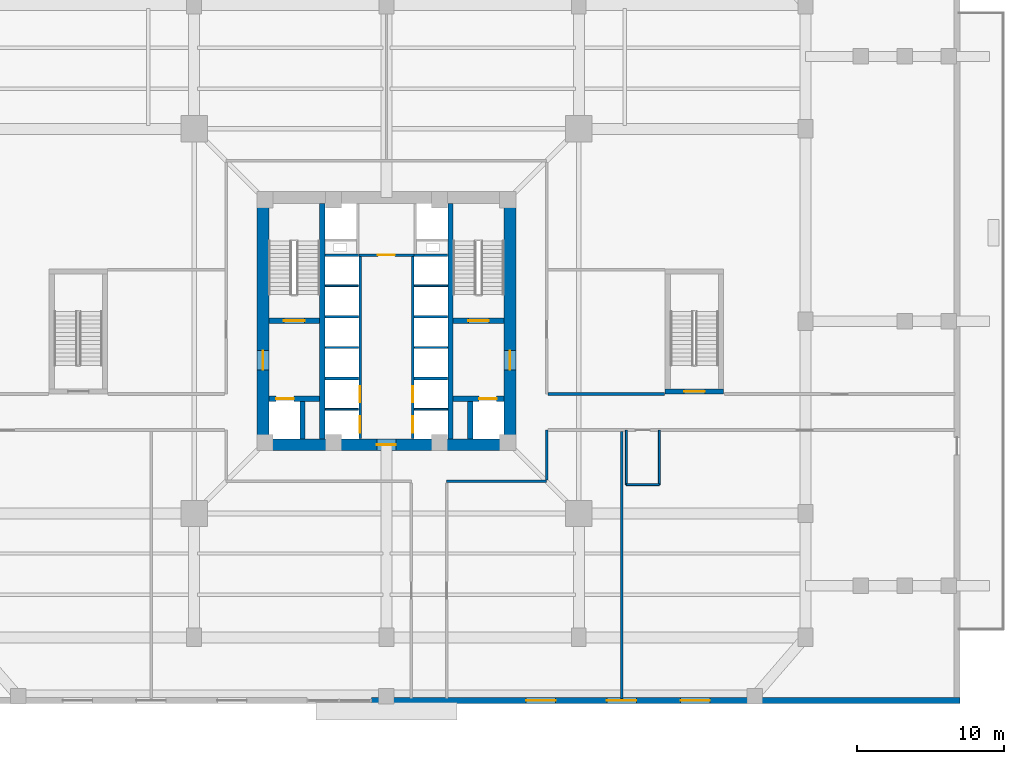
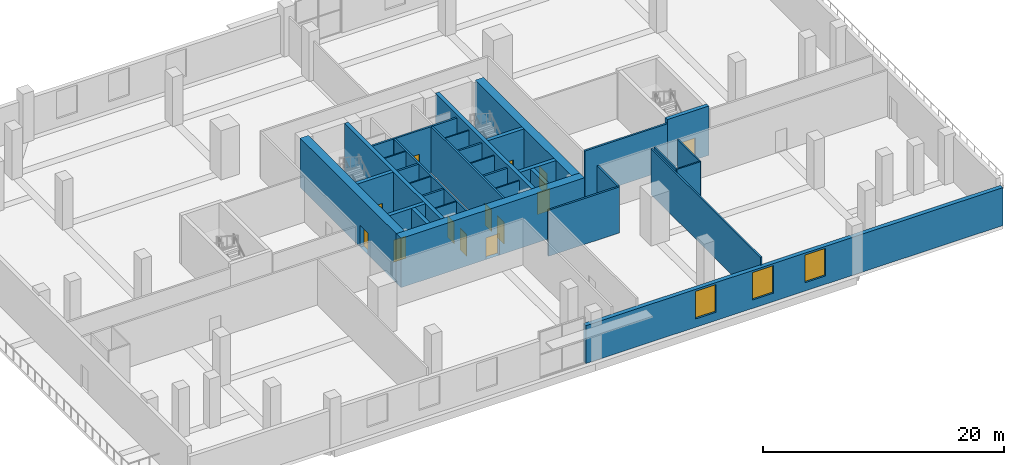
# One storey, part 7 of 17: 35 walls, 13 doors, 3 windows, 16 openings.
"""IFC4 building model written with IfcOpenShell, lengths in metres."""

import ifcopenshell
import ifcopenshell.guid

model = None  # the IFC model being written
_history = None  # IfcOwnerHistory: only IFC2X3 demands one
_inside = {}  # id of a spatial element -> (the spatial element, [elements in it])
_under = {}  # id of a project, library or spatial element -> (it, [spatial elements below it])
_declared = {}  # id of a project -> (the project, [libraries it declares])
_typed = {}  # id of a type object -> (the type object, [elements of that type])
_made_of = {}  # id of a material, layer set ... -> (it, [elements and type objects made of it])


def new_model(schema):
    """Start an empty IFC model of exactly this schema.

    Asked for "IFC4X3", IfcOpenShell would pick the latest addendum, in which some entities
    have other attributes; the version numbers below select the first issue.
    IFC2X3 requires an IfcOwnerHistory on every rooted entity: one is made here for all.
    """
    global model, _history
    if schema == "IFC4X3":
        model = ifcopenshell.file(schema_version=(4, 3, 0, 0))
    else:
        model = ifcopenshell.file(schema=schema)
    _inside.clear()
    _under.clear()
    _declared.clear()
    _typed.clear()
    _made_of.clear()
    _history = None
    if model.schema == "IFC2X3":
        org = make("IfcOrganization", Name="unknown")
        user = make(
            "IfcPersonAndOrganization",
            ThePerson=make("IfcPerson", FamilyName="unknown"),
            TheOrganization=org,
        )
        app = make(
            "IfcApplication",
            ApplicationDeveloper=org,
            Version="unknown",
            ApplicationFullName="unknown",
            ApplicationIdentifier="unknown",
        )
        _history = make(
            "IfcOwnerHistory",
            OwningUser=user,
            OwningApplication=app,
            ChangeAction="ADDED",
            CreationDate=0,
        )
    return model


def make(cls, **values):
    """One entity of the class cls with the attributes given. An attribute that is None is left unset."""
    return model.create_entity(
        cls, **{name: value for name, value in values.items() if value is not None}
    )


def rooted(cls, **values):
    """An entity with a GlobalId (a new one), such as an element, a storey or a relation."""
    return make(cls, GlobalId=ifcopenshell.guid.new(), OwnerHistory=_history, **values)


def si_unit(unit_type, name, prefix=None):
    """IfcSIUnit, for example si_unit("LENGTHUNIT", "METRE", prefix="MILLI")."""
    return make("IfcSIUnit", UnitType=unit_type, Prefix=prefix, Name=name)


def assignment(units):
    """IfcUnitAssignment: the units of a project."""
    return None if units is None else make("IfcUnitAssignment", Units=units)


def point(xyz):
    """IfcCartesianPoint."""
    return None if xyz is None else make("IfcCartesianPoint", Coordinates=xyz)


def direction(xyz):
    """IfcDirection."""
    return None if xyz is None else make("IfcDirection", DirectionRatios=xyz)


def frame(location, z_axis=None, x_axis=None):
    """IfcAxis2Placement3D, a coordinate frame: its origin and axes. An axis left out is left unset."""
    return make(
        "IfcAxis2Placement3D",
        Location=point(location),
        Axis=direction(z_axis),
        RefDirection=direction(x_axis),
    )


def frame_2d(location, x_axis=None):
    """IfcAxis2Placement2D, a coordinate frame in the plane: its origin and x axis."""
    return make(
        "IfcAxis2Placement2D", Location=point(location), RefDirection=direction(x_axis)
    )


def origin():
    """The frame at (0, 0, 0) with its axes left unset."""
    return frame((0.0, 0.0, 0.0))


def place(relative_to, where):
    """IfcLocalPlacement: puts the frame where relative to a parent placement (None: the world)."""
    return make(
        "IfcLocalPlacement", PlacementRelTo=relative_to, RelativePlacement=where
    )


def context(
    kind, dimensions, precision=None, world=None, true_north=None, identifier=None
):
    """IfcGeometricRepresentationContext, for example the 3D "Model" context."""
    return make(
        "IfcGeometricRepresentationContext",
        ContextIdentifier=identifier,
        ContextType=kind,
        CoordinateSpaceDimension=dimensions,
        Precision=precision,
        WorldCoordinateSystem=world,
        TrueNorth=true_north,
    )


def subcontext(parent, identifier, kind, view, scale=None):
    """IfcGeometricRepresentationSubContext, for example "Body" below "Model"."""
    return make(
        "IfcGeometricRepresentationSubContext",
        ContextIdentifier=identifier,
        ContextType=kind,
        ParentContext=parent,
        TargetScale=scale,
        TargetView=view,
    )


def project(units=None, contexts=None):
    """IfcProject with its units and contexts."""
    return rooted(
        "IfcProject",
        Name="project",
        RepresentationContexts=contexts,
        UnitsInContext=assignment(units),
    )


def spatial(cls, under=None, at=None, **own):
    """A site, building, storey or space (cls), placed at a placement, below another one or the project."""
    s = rooted(cls, ObjectPlacement=at, **own)
    if under is not None:
        _under.setdefault(under.id(), (under, []))[1].append(s)
    return s


def profile(cls, at=None, kind="AREA", **sizes):
    """A parametric profile (cls). Its sizes go by their IFC names, for example OverallWidth=200.0."""
    return make(cls, ProfileType=kind, Position=at, **sizes)


def rectangle(**sizes):
    """IfcRectangleProfileDef."""
    return profile("IfcRectangleProfileDef", **sizes)


def extrude(swept, where, along, depth):
    """IfcExtrudedAreaSolid: the profile swept, set in the frame where, extruded along a direction by depth."""
    return make(
        "IfcExtrudedAreaSolid",
        SweptArea=swept,
        Position=where,
        ExtrudedDirection=direction(along),
        Depth=depth,
    )


def shape(context_of_items, identifier, shape_type, items):
    """IfcShapeRepresentation: the items that make up one representation, for example the "Body"."""
    return make(
        "IfcShapeRepresentation",
        ContextOfItems=context_of_items,
        RepresentationIdentifier=identifier,
        RepresentationType=shape_type,
        Items=items,
    )


def source(mapping_origin, context_of_items, identifier, shape_type, items):
    """IfcRepresentationMap: a shape defined once, which mapped items show again and again."""
    return make(
        "IfcRepresentationMap",
        MappingOrigin=mapping_origin,
        MappedRepresentation=shape(context_of_items, identifier, shape_type, items),
    )


def transform(
    local_origin,
    x_axis=None,
    y_axis=None,
    z_axis=None,
    scale=None,
    scale2=None,
    scale3=None,
    uniform=True,
):
    """IfcCartesianTransformationOperator3D, or its non-uniform kind. x_axis, y_axis, z_axis: its Axis1, 2, 3."""
    if uniform:
        return make(
            "IfcCartesianTransformationOperator3D",
            Axis1=direction(x_axis),
            Axis2=direction(y_axis),
            LocalOrigin=point(local_origin),
            Scale=scale,
            Axis3=direction(z_axis),
        )
    return make(
        "IfcCartesianTransformationOperator3DnonUniform",
        Axis1=direction(x_axis),
        Axis2=direction(y_axis),
        LocalOrigin=point(local_origin),
        Scale=scale,
        Axis3=direction(z_axis),
        Scale2=scale2,
        Scale3=scale3,
    )


def mapped(mapping_source, mapping_target):
    """IfcMappedItem: shows the shape of a source again, moved by a transform."""
    return make(
        "IfcMappedItem", MappingSource=mapping_source, MappingTarget=mapping_target
    )


def material(Name=None, Category=None):
    """IfcMaterial."""
    return make("IfcMaterial", Name=Name, Category=Category)


def layer(
    of_material, thickness, ventilated=None, Name=None, Category=None, Priority=None
):
    """IfcMaterialLayer: one layer of a wall or slab, of a material (None: an air gap)."""
    return make(
        "IfcMaterialLayer",
        Material=of_material,
        LayerThickness=thickness,
        IsVentilated=ventilated,
        Name=Name,
        Category=Category,
        Priority=Priority,
    )


def layer_set(layers, Name=None):
    """IfcMaterialLayerSet."""
    return make("IfcMaterialLayerSet", MaterialLayers=layers, LayerSetName=Name)


def made_of(thing, what):
    """Note that an element or type object is made of a material, layer set ...; save() writes the relation."""
    if what is not None:
        _made_of.setdefault(what.id(), (what, []))[1].append(thing)
    return thing


def type_object(cls, material=None, **own):
    """A type object (cls), such as IfcWallType, which elements share."""
    return made_of(rooted(cls, **own), material)


def element(
    cls,
    number,
    at=None,
    inside=None,
    cuts=None,
    type_object=None,
    material=None,
    context=None,
    identifier="Body",
    shape_type=None,
    held_by="IfcProductDefinitionShape",
    body=None,
    shapes=None,
    **own,
):
    """One element of the class cls, such as IfcWall. Its Tag is "e" and its number.

    at: its placement. inside: the storey or other place that contains it. cuts: it is an
    opening in that element (IfcRelVoidsElement). A single representation is given by context,
    identifier, shape_type and body (its items); several are given by shapes. held_by: the class
    of the entity that holds the representations. save() writes the other relations.
    """
    e = rooted(cls, Tag="e%d" % number, ObjectPlacement=at, **own)
    if body is not None:
        shapes = [shape(context, identifier, shape_type, body)]
    if shapes is not None:
        e.Representation = make(held_by, Representations=shapes)
    if inside is not None:
        _inside.setdefault(inside.id(), (inside, []))[1].append(e)
    if cuts is not None:
        rooted(
            "IfcRelVoidsElement", RelatingBuildingElement=cuts, RelatedOpeningElement=e
        )
    if type_object is not None:
        _typed.setdefault(type_object.id(), (type_object, []))[1].append(e)
    return made_of(e, material)


def fill(opening, filler):
    """IfcRelFillsElement: the door or window that sits in an opening."""
    return rooted(
        "IfcRelFillsElement",
        RelatingOpeningElement=opening,
        RelatedBuildingElement=filler,
    )


def aggregate(whole, parts):
    """IfcRelAggregates: a whole, such as a stair, and the parts it consists of."""
    return rooted("IfcRelAggregates", RelatingObject=whole, RelatedObjects=parts)


def save(model, path):
    """Write the relations noted so far, then the file.

    IfcRelAggregates (storeys below a building ...), IfcRelContainedInSpatialStructure (elements
    in a storey), IfcRelDefinesByType, IfcRelAssociatesMaterial and IfcRelDeclares: one each for
    every whole, place, type object, material and project.
    """
    for whole, parts in _under.values():
        aggregate(whole, parts)
    for where, things in _inside.values():
        rooted(
            "IfcRelContainedInSpatialStructure",
            RelatedElements=things,
            RelatingStructure=where,
        )
    for kind, things in _typed.values():
        rooted("IfcRelDefinesByType", RelatedObjects=things, RelatingType=kind)
    for what, things in _made_of.values():
        rooted("IfcRelAssociatesMaterial", RelatedObjects=things, RelatingMaterial=what)
    for by, libraries in _declared.values():
        rooted("IfcRelDeclares", RelatingContext=by, RelatedDefinitions=libraries)
    model.write(path)


model = new_model("IFC4")

# Units and contexts
model_context = context("Model", 3, precision=1e-05, world=origin(), true_north=direction((0.0, 1.0)))
body_context = subcontext(model_context, "Body", "Model", "MODEL_VIEW")
ifc_project = project(units=[si_unit("LENGTHUNIT", "METRE"), si_unit("AREAUNIT", "SQUARE_METRE"), si_unit("VOLUMEUNIT", "CUBIC_METRE"), si_unit("PLANEANGLEUNIT", "RADIAN"), si_unit("MASSUNIT", "GRAM", prefix="KILO"), si_unit("THERMODYNAMICTEMPERATUREUNIT", "KELVIN")], contexts=[model_context])

# Site, building, storey
site_placement = place(None, origin())
site = spatial("IfcSite", under=ifc_project, at=site_placement, CompositionType="ELEMENT")
building_placement = place(site_placement, origin())
building = spatial("IfcBuilding", under=site, at=building_placement, Name="Kosmvard Interchange Tower", CompositionType="ELEMENT")
storey_placement = place(building_placement, frame((0.0, 0.0, 6.0)))
storey = spatial("IfcBuildingStorey", under=building, at=storey_placement, Name="L01", CompositionType="ELEMENT", Elevation=6.0)

# Wall
ifc_material_1 = material(Name="Acoustic gypsum partition system")
ifc_layer_1 = layer(ifc_material_1, 0.14990234375, Name="Acoustic gypsum partition system")
ifc_layer_set_1 = layer_set([ifc_layer_1], Name="Acoustic gypsum partition system")
wall_type_1 = type_object("IfcWallType", Name="Acoustic Suite & Meeting Partition 150", PredefinedType="PARTITIONING", material=ifc_layer_set_1)
wall_1_placement = place(storey_placement, frame((16.0, -25.6650390625, 0.0), z_axis=(0.0, 0.0, 1.0), x_axis=(0.0, 1.0, 0.0)))
element("IfcWall", 1, at=wall_1_placement, inside=storey, type_object=wall_type_1, Name="L01 Room Partition 05.1", PredefinedType="PARTITIONING", context=body_context, shape_type="SweptSolid", body=[
    extrude(rectangle(XDim=18.169921875, YDim=0.14990234375, at=frame_2d((9.0849609375, 0.0))), origin(), (0.0, 0.0, 1.0), 4.659912109375),
])

# Wall, openings, doors
ifc_material_2 = material(Name="Fire-rated gypsum partition system")
ifc_layer_2 = layer(ifc_material_2, 0.179931640625, Name="Fire-rated gypsum partition system")
ifc_layer_set_2 = layer_set([ifc_layer_2], Name="Fire-rated gypsum partition system")
wall_type_2 = type_object("IfcWallType", Name="Corridor & Hotel Compartment Partition 180", PredefinedType="PARTITIONING", material=ifc_layer_set_2)
wall_2_placement = place(storey_placement, frame((-1.7900390625, -7.97998046875, 0.0), z_axis=(0.0, 0.0, 1.0), x_axis=(0.0, 1.0, 0.0)))
wall_2 = element("IfcWall", 2, at=wall_2_placement, inside=storey, type_object=wall_type_2, Name="L01 West Lift Bank Front Wall", PredefinedType="PARTITIONING", context=body_context, shape_type="SweptSolid", body=[
    extrude(rectangle(XDim=12.3798828125, YDim=0.179931640625, at=frame_2d((6.18994140625, 0.0))), origin(), (0.0, 0.0, 1.0), 4.659912109375),
])
opening_1_placement = place(wall_2_placement, frame((0.39990234375, 0.0, 0.0)))
opening_1 = element("IfcOpeningElement", 3, at=opening_1_placement, cuts=wall_2, Name="Opening LD-PL-L1-L01", PredefinedType="OPENING", context=body_context, shape_type="SweptSolid", body=[
    extrude(rectangle(XDim=1.10009765625, YDim=2.199951171875, at=frame_2d((0.550048828125, 1.10009765625))), frame((0.0, 0.10009765625, 0.0), z_axis=(0.0, -1.0, 0.0), x_axis=(1.0, 0.0, 0.0)), (0.0, 0.0, 1.0), 0.199951171875),
])
opening_2_placement = place(wall_2_placement, frame((2.4599609375, 0.0, 0.0)))
opening_2 = element("IfcOpeningElement", 4, at=opening_2_placement, cuts=wall_2, Name="Opening LD-PL-L2-L01", PredefinedType="OPENING", context=body_context, shape_type="SweptSolid", body=[
    extrude(rectangle(XDim=1.10009765625, YDim=2.199951171875, at=frame_2d((0.550048828125, 1.10009765625))), frame((0.0, 0.10009765625, 0.0), z_axis=(0.0, -1.0, 0.0), x_axis=(1.0, 0.0, 0.0)), (0.0, 0.0, 1.0), 0.199951171875),
])
ifc_material_3 = material(Name="Brushed stainless steel sliding leaf", Category="steel")
door_type_1 = type_object("IfcDoorType", Name="Passenger Lift Sliding Landing Door 1100x2200 EI60", OperationType="DOUBLE_DOOR_SLIDING", PredefinedType="DOOR", material=ifc_material_3)
shared_shape_1 = source(origin(), body_context, "Body", "SweptSolid", [
    extrude(rectangle(XDim=1.10009765625, YDim=2.199951171875, at=frame_2d((0.550048828125, 1.10009765625))), frame((0.0, 0.02490234375, 0.0), z_axis=(0.0, -1.0, 0.0), x_axis=(1.0, 0.0, 0.0)), (0.0, 0.0, 1.0), 0.050048828125),
])
door_1_placement = place(opening_1_placement, frame((1.10009765625, 0.0, 0.0), z_axis=(0.0, 0.0, 1.0), x_axis=(-1.0, 0.0, 0.0)))
door_1 = element("IfcDoor", 5, at=door_1_placement, inside=storey, type_object=door_type_1, Name="Lift PL-L1 Landing Door L01", OperationType="DOUBLE_DOOR_SLIDING", OverallHeight=2.199951171875, OverallWidth=1.10009765625, PredefinedType="DOOR", context=body_context, shape_type="MappedRepresentation", body=[
    mapped(shared_shape_1, transform((0.0, 0.0, 0.0), scale=1.0)),
])
fill(opening_1, door_1)
door_2_placement = place(opening_2_placement, frame((1.10009765625, 0.0, 0.0), z_axis=(0.0, 0.0, 1.0), x_axis=(-1.0, 0.0, 0.0)))
door_2 = element("IfcDoor", 6, at=door_2_placement, inside=storey, type_object=door_type_1, Name="Lift PL-L2 Landing Door L01", OperationType="DOUBLE_DOOR_SLIDING", OverallHeight=2.199951171875, OverallWidth=1.10009765625, PredefinedType="DOOR", context=body_context, shape_type="MappedRepresentation", body=[
    mapped(shared_shape_1, transform((0.0, 0.0, 0.0), scale=1.0)),
])
fill(opening_2, door_2)

wall_3_placement = place(storey_placement, frame((1.7900390625, -7.97998046875, 0.0), z_axis=(0.0, 0.0, 1.0), x_axis=(0.0, 1.0, 0.0)))
wall_3 = element("IfcWall", 7, at=wall_3_placement, inside=storey, type_object=wall_type_2, Name="L01 East Lift Bank Front Wall", PredefinedType="PARTITIONING", context=body_context, shape_type="SweptSolid", body=[
    extrude(rectangle(XDim=12.3798828125, YDim=0.179931640625, at=frame_2d((6.18994140625, 0.0))), origin(), (0.0, 0.0, 1.0), 4.659912109375),
])
opening_3_placement = place(wall_3_placement, frame((0.39990234375, 0.0, 0.0)))
opening_3 = element("IfcOpeningElement", 8, at=opening_3_placement, cuts=wall_3, Name="Opening LD-PL-L3-L01", PredefinedType="OPENING", context=body_context, shape_type="SweptSolid", body=[
    extrude(rectangle(XDim=1.10009765625, YDim=2.199951171875, at=frame_2d((0.550048828125, 1.10009765625))), frame((0.0, 0.10009765625, 0.0), z_axis=(0.0, -1.0, 0.0), x_axis=(1.0, 0.0, 0.0)), (0.0, 0.0, 1.0), 0.199951171875),
])
opening_4_placement = place(wall_3_placement, frame((2.4599609375, 0.0, 0.0)))
opening_4 = element("IfcOpeningElement", 9, at=opening_4_placement, cuts=wall_3, Name="Opening LD-PL-L4-L01", PredefinedType="OPENING", context=body_context, shape_type="SweptSolid", body=[
    extrude(rectangle(XDim=1.10009765625, YDim=2.199951171875, at=frame_2d((0.550048828125, 1.10009765625))), frame((0.0, 0.10009765625, 0.0), z_axis=(0.0, -1.0, 0.0), x_axis=(1.0, 0.0, 0.0)), (0.0, 0.0, 1.0), 0.199951171875),
])
door_3_placement = place(opening_3_placement, origin())
door_3 = element("IfcDoor", 10, at=door_3_placement, inside=storey, type_object=door_type_1, Name="Lift PL-L3 Landing Door L01", OperationType="DOUBLE_DOOR_SLIDING", OverallHeight=2.199951171875, OverallWidth=1.10009765625, PredefinedType="DOOR", context=body_context, shape_type="MappedRepresentation", body=[
    mapped(shared_shape_1, transform((0.0, 0.0, 0.0), scale=1.0)),
])
fill(opening_3, door_3)
door_4_placement = place(opening_4_placement, origin())
door_4 = element("IfcDoor", 11, at=door_4_placement, inside=storey, type_object=door_type_1, Name="Lift PL-L4 Landing Door L01", OperationType="DOUBLE_DOOR_SLIDING", OverallHeight=2.199951171875, OverallWidth=1.10009765625, PredefinedType="DOOR", context=body_context, shape_type="MappedRepresentation", body=[
    mapped(shared_shape_1, transform((0.0, 0.0, 0.0), scale=1.0)),
])
fill(opening_4, door_4)

# Wall, opening, door
wall_4_placement = place(storey_placement, frame((-1.8798828125, 4.489990234375, 0.0), z_axis=(0.0, 0.0, 1.0), x_axis=(1.0, 0.0, 0.0)))
wall_4 = element("IfcWall", 12, at=wall_4_placement, inside=storey, type_object=wall_type_2, Name="L01 Lift Lobby North Partition", PredefinedType="PARTITIONING", context=body_context, shape_type="SweptSolid", body=[
    extrude(rectangle(XDim=3.759765625, YDim=0.179931640625, at=frame_2d((1.8798828125, 0.0))), origin(), (0.0, 0.0, 1.0), 4.659912109375),
])
opening_5_placement = place(wall_4_placement, frame((1.304931640625, 0.0, 0.0)))
opening_5 = element("IfcOpeningElement", 13, at=opening_5_placement, cuts=wall_4, Name="Opening L01-KD1", PredefinedType="OPENING", context=body_context, shape_type="SweptSolid", body=[
    extrude(rectangle(XDim=1.14990234375, YDim=2.25, at=frame_2d((0.574951171875, 1.125))), frame((0.0, 0.10009765625, 0.0), z_axis=(0.0, -1.0, 0.0), x_axis=(1.0, 0.0, 0.0)), (0.0, 0.0, 1.0), 0.199951171875),
])
ifc_material_4 = material(Name="Painted fire-rated steel leaf", Category="steel")
door_type_2 = type_object("IfcDoorType", Name="Plant & Riser Fire Door 1150x2250 EI60", OperationType="NOTDEFINED", PredefinedType="DOOR", material=ifc_material_4)
shared_shape_2 = source(origin(), body_context, "Body", "SweptSolid", [
    extrude(rectangle(XDim=1.14990234375, YDim=2.25, at=frame_2d((0.574951171875, 1.125))), frame((0.0, 0.02490234375, 0.0), z_axis=(0.0, -1.0, 0.0), x_axis=(1.0, 0.0, 0.0)), (0.0, 0.0, 1.0), 0.050048828125),
])
door_5_placement = place(opening_5_placement, origin())
door_5 = element("IfcDoor", 14, at=door_5_placement, inside=storey, type_object=door_type_2, Name="L01 Core IT Room Door", OperationType="SINGLE_SWING_LEFT", OverallHeight=2.25, OverallWidth=1.14990234375, PredefinedType="DOOR", context=body_context, shape_type="MappedRepresentation", body=[
    mapped(shared_shape_2, transform((0.0, 0.0, 0.0), scale=1.0)),
])
fill(opening_5, door_5)

# Walls
wall_5_placement = place(storey_placement, frame((4.10009765625, -10.89990234375, 0.0), z_axis=(0.0, 0.0, 1.0), x_axis=(1.0, 0.0, 0.0)))
element("IfcWall", 15, at=wall_5_placement, inside=storey, type_object=wall_type_2, Name="L01 Corridor Wall CSE", PredefinedType="PARTITIONING", context=body_context, shape_type="SweptSolid", body=[
    extrude(rectangle(XDim=6.7998046875, YDim=0.179931640625, at=frame_2d((3.39990234375, 0.0))), origin(), (0.0, 0.0, 1.0), 4.659912109375),
])
wall_6_placement = place(storey_placement, frame((10.89990234375, -10.800048828125, 0.0), z_axis=(0.0, 0.0, 1.0), x_axis=(0.0, 1.0, 0.0)))
element("IfcWall", 16, at=wall_6_placement, inside=storey, type_object=wall_type_2, Name="L01 Corridor Wall CES", PredefinedType="PARTITIONING", context=body_context, shape_type="SweptSolid", body=[
    extrude(rectangle(XDim=3.400146484375, YDim=0.179931640625, at=frame_2d((1.7001953125, 0.0))), origin(), (0.0, 0.0, 1.0), 4.659912109375),
])
wall_7_placement = place(storey_placement, frame((11.0, -4.9599609375, 0.0), z_axis=(0.0, 0.0, 1.0), x_axis=(1.0, 0.0, 0.0)))
element("IfcWall", 17, at=wall_7_placement, inside=storey, type_object=wall_type_2, Name="L01 Corridor Wall SEN1", PredefinedType="PARTITIONING", context=body_context, shape_type="SweptSolid", body=[
    extrude(rectangle(XDim=7.919921875, YDim=0.179931640625, at=frame_2d((3.9599609375, 0.0))), origin(), (0.0, 0.0, 1.0), 4.659912109375),
])

# Wall, opening, door
ifc_material_5 = material(Name="Concrete C80/95", Category="concrete")
ifc_layer_3 = layer(ifc_material_5, 0.800048828125, Name="Concrete C80/95")
ifc_layer_set_3 = layer_set([ifc_layer_3], Name="Concrete C80/95")
wall_type_3 = type_object("IfcWallType", Name="Lower Core Shear Wall 800 C80/95", PredefinedType="SHEAR", material=ifc_layer_set_3)
wall_8_placement = place(storey_placement, frame((-8.800048828125, -8.39990234375, 0.0), z_axis=(0.0, 0.0, 1.0), x_axis=(1.0, 0.0, 0.0)))
wall_8 = element("IfcWall", 18, at=wall_8_placement, inside=storey, type_object=wall_type_3, Name="L01 Core Shear Wall CW-S", PredefinedType="SHEAR", context=body_context, shape_type="SweptSolid", body=[
    extrude(rectangle(XDim=17.60009765625, YDim=0.800048828125, at=frame_2d((8.800048828125, 0.0))), origin(), (0.0, 0.0, 1.0), 5.0),
])
opening_6_placement = place(wall_8_placement, frame((8.14990234375, 0.0, 0.0)))
opening_6 = element("IfcOpeningElement", 19, at=opening_6_placement, cuts=wall_8, Name="Opening L01-LD0", PredefinedType="OPENING", context=body_context, shape_type="SweptSolid", body=[
    extrude(rectangle(XDim=1.300048828125, YDim=2.199951171875, at=frame_2d((0.64990234375, 1.10009765625))), frame((0.0, 0.41015625, 0.0), z_axis=(0.0, -1.0, 0.0), x_axis=(1.0, 0.0, 0.0)), (0.0, 0.0, 1.0), 0.820068359375),
])
door_type_3 = type_object("IfcDoorType", Name="Firefighting Lobby Door 1300x2200 EI60", OperationType="NOTDEFINED", PredefinedType="DOOR", material=ifc_material_4)
shared_shape_3 = source(origin(), body_context, "Body", "SweptSolid", [
    extrude(rectangle(XDim=1.300048828125, YDim=2.199951171875, at=frame_2d((0.64990234375, 1.10009765625))), frame((0.0, 0.02490234375, 0.0), z_axis=(0.0, -1.0, 0.0), x_axis=(1.0, 0.0, 0.0)), (0.0, 0.0, 1.0), 0.050048828125),
])
door_6_placement = place(opening_6_placement, frame((1.300048828125, 0.0, 0.0), z_axis=(0.0, 0.0, 1.0), x_axis=(-1.0, 0.0, 0.0)))
door_6 = element("IfcDoor", 20, at=door_6_placement, inside=storey, type_object=door_type_3, Name="L01 Passenger Lift Lobby South Door", OperationType="SINGLE_SWING_RIGHT", OverallHeight=2.199951171875, OverallWidth=1.300048828125, PredefinedType="DOOR", context=body_context, shape_type="MappedRepresentation", body=[
    mapped(shared_shape_3, transform((0.0, 0.0, 0.0), scale=1.0)),
])
fill(opening_6, door_6)

wall_9_placement = place(storey_placement, frame((-8.39990234375, -8.0, 0.0), z_axis=(0.0, 0.0, 1.0), x_axis=(0.0, 1.0, 0.0)))
wall_9 = element("IfcWall", 21, at=wall_9_placement, inside=storey, type_object=wall_type_3, Name="L01 Core Shear Wall CW-W", PredefinedType="SHEAR", context=body_context, shape_type="SweptSolid", body=[
    extrude(rectangle(XDim=16.0, YDim=0.800048828125, at=frame_2d((8.0, 0.0))), origin(), (0.0, 0.0, 1.0), 5.0),
])
opening_7_placement = place(wall_9_placement, frame((4.68994140625, 0.0, 0.0)))
opening_7 = element("IfcOpeningElement", 22, at=opening_7_placement, cuts=wall_9, Name="Opening L01-FD1", PredefinedType="OPENING", context=body_context, shape_type="SweptSolid", body=[
    extrude(rectangle(XDim=1.300048828125, YDim=2.199951171875, at=frame_2d((0.64990234375, 1.10009765625))), frame((0.0, 0.41015625, 0.0), z_axis=(0.0, -1.0, 0.0), x_axis=(1.0, 0.0, 0.0)), (0.0, 0.0, 1.0), 0.820068359375),
])
door_7_placement = place(opening_7_placement, frame((1.300048828125, 0.0, 0.0), z_axis=(0.0, 0.0, 1.0), x_axis=(-1.0, 0.0, 0.0)))
door_7 = element("IfcDoor", 23, at=door_7_placement, inside=storey, type_object=door_type_3, Name="L01 Firefighting Lobby West Door", OperationType="SINGLE_SWING_LEFT", OverallHeight=2.199951171875, OverallWidth=1.300048828125, PredefinedType="DOOR", context=body_context, shape_type="MappedRepresentation", body=[
    mapped(shared_shape_3, transform((0.0, 0.0, 0.0), scale=1.0)),
])
fill(opening_7, door_7)

wall_10_placement = place(storey_placement, frame((8.39990234375, -8.0, 0.0), z_axis=(0.0, 0.0, 1.0), x_axis=(0.0, 1.0, 0.0)))
wall_10 = element("IfcWall", 24, at=wall_10_placement, inside=storey, type_object=wall_type_3, Name="L01 Core Shear Wall CW-E", PredefinedType="SHEAR", context=body_context, shape_type="SweptSolid", body=[
    extrude(rectangle(XDim=16.0, YDim=0.800048828125, at=frame_2d((8.0, 0.0))), origin(), (0.0, 0.0, 1.0), 5.0),
])
opening_8_placement = place(wall_10_placement, frame((4.68994140625, 0.0, 0.0)))
opening_8 = element("IfcOpeningElement", 25, at=opening_8_placement, cuts=wall_10, Name="Opening L01-FD2", PredefinedType="OPENING", context=body_context, shape_type="SweptSolid", body=[
    extrude(rectangle(XDim=1.300048828125, YDim=2.199951171875, at=frame_2d((0.64990234375, 1.10009765625))), frame((0.0, 0.41015625, 0.0), z_axis=(0.0, -1.0, 0.0), x_axis=(1.0, 0.0, 0.0)), (0.0, 0.0, 1.0), 0.820068359375),
])
door_8_placement = place(opening_8_placement, origin())
door_8 = element("IfcDoor", 26, at=door_8_placement, inside=storey, type_object=door_type_3, Name="L01 Firefighting Lobby East Door", OperationType="SINGLE_SWING_RIGHT", OverallHeight=2.199951171875, OverallWidth=1.300048828125, PredefinedType="DOOR", context=body_context, shape_type="MappedRepresentation", body=[
    mapped(shared_shape_3, transform((0.0, 0.0, 0.0), scale=1.0)),
])
fill(opening_8, door_8)

# Wall, openings, windows
ifc_material_6 = material(Name="Precast concrete C45/55", Category="concrete")
ifc_layer_4 = layer(ifc_material_6, 0.39990234375, Name="Precast concrete C45/55")
ifc_layer_set_4 = layer_set([ifc_layer_4], Name="Precast concrete C45/55")
wall_type_4 = type_object("IfcWallType", Name="Podium Precast Stone Pier Wall 400 C45/55", PredefinedType="STANDARD", material=ifc_layer_set_4)
wall_11_placement = place(storey_placement, frame((-1.0, -25.800048828125, 0.0), z_axis=(0.0, 0.0, 1.0), x_axis=(1.0, 0.0, 0.0)))
wall_11 = element("IfcWall", 27, at=wall_11_placement, inside=storey, type_object=wall_type_4, Name="L01 Podium Precast Wall EW-S2", PredefinedType="STANDARD", context=body_context, shape_type="SweptSolid", body=[
    extrude(rectangle(XDim=40.0, YDim=0.39990234375, at=frame_2d((20.0, 0.0))), origin(), (0.0, 0.0, 1.0), 3.85009765625),
])
opening_9_placement = place(wall_11_placement, frame((10.5, 0.0, 0.85009765625)))
opening_9 = element("IfcOpeningElement", 28, at=opening_9_placement, cuts=wall_11, Name="Opening L01-W4", PredefinedType="OPENING", context=body_context, shape_type="SweptSolid", body=[
    extrude(rectangle(XDim=2.0, YDim=2.800048828125, at=frame_2d((1.0, 1.39990234375))), frame((0.0, 0.2099609375, 0.0), z_axis=(0.0, -1.0, 0.0), x_axis=(1.0, 0.0, 0.0)), (0.0, 0.0, 1.0), 0.419921875),
])
opening_10_placement = place(wall_11_placement, frame((16.0, 0.0, 0.85009765625)))
opening_10 = element("IfcOpeningElement", 29, at=opening_10_placement, cuts=wall_11, Name="Opening L01-W5", PredefinedType="OPENING", context=body_context, shape_type="SweptSolid", body=[
    extrude(rectangle(XDim=2.0, YDim=2.800048828125, at=frame_2d((1.0, 1.39990234375))), frame((0.0, 0.2099609375, 0.0), z_axis=(0.0, -1.0, 0.0), x_axis=(1.0, 0.0, 0.0)), (0.0, 0.0, 1.0), 0.419921875),
])
opening_11_placement = place(wall_11_placement, frame((21.0, 0.0, 0.85009765625)))
opening_11 = element("IfcOpeningElement", 30, at=opening_11_placement, cuts=wall_11, Name="Opening L01-W6", PredefinedType="OPENING", context=body_context, shape_type="SweptSolid", body=[
    extrude(rectangle(XDim=2.0, YDim=2.800048828125, at=frame_2d((1.0, 1.39990234375))), frame((0.0, 0.2099609375, 0.0), z_axis=(0.0, -1.0, 0.0), x_axis=(1.0, 0.0, 0.0)), (0.0, 0.0, 1.0), 0.419921875),
])
ifc_material_7 = material(Name="Low-E solar-control double glazing", Category="glass")
window_type = type_object("IfcWindowType", Name="Podium Lounge Punched Window 2000x2800", PartitioningType="SINGLE_PANEL", PredefinedType="WINDOW", material=ifc_material_7)
shared_shape_4 = source(origin(), body_context, "Body", "SweptSolid", [
    extrude(rectangle(XDim=2.0, YDim=2.800048828125, at=frame_2d((1.0, 1.39990234375))), frame((0.0, 0.030029296875, 0.0), z_axis=(0.0, -1.0, 0.0), x_axis=(1.0, 0.0, 0.0)), (0.0, 0.0, 1.0), 0.06005859375),
])
window_1_placement = place(opening_9_placement, origin())
window_1 = element("IfcWindow", 31, at=window_1_placement, inside=storey, type_object=window_type, Name="L01 Podium Window 4", OverallHeight=2.800048828125, OverallWidth=2.0, PartitioningType="SINGLE_PANEL", PredefinedType="WINDOW", context=body_context, shape_type="MappedRepresentation", body=[
    mapped(shared_shape_4, transform((0.0, 0.0, 0.0), scale=1.0)),
])
fill(opening_9, window_1)
window_2_placement = place(opening_10_placement, origin())
window_2 = element("IfcWindow", 32, at=window_2_placement, inside=storey, type_object=window_type, Name="L01 Podium Window 5", OverallHeight=2.800048828125, OverallWidth=2.0, PartitioningType="SINGLE_PANEL", PredefinedType="WINDOW", context=body_context, shape_type="MappedRepresentation", body=[
    mapped(shared_shape_4, transform((0.0, 0.0, 0.0), scale=1.0)),
])
fill(opening_10, window_2)
window_3_placement = place(opening_11_placement, origin())
window_3 = element("IfcWindow", 33, at=window_3_placement, inside=storey, type_object=window_type, Name="L01 Podium Window 6", OverallHeight=2.800048828125, OverallWidth=2.0, PartitioningType="SINGLE_PANEL", PredefinedType="WINDOW", context=body_context, shape_type="MappedRepresentation", body=[
    mapped(shared_shape_4, transform((0.0, 0.0, 0.0), scale=1.0)),
])
fill(opening_11, window_3)

# Walls
ifc_material_8 = material(Name="Concrete blockwork masonry", Category="masonry")
ifc_layer_5 = layer(ifc_material_8, 0.179931640625, Name="Concrete blockwork masonry")
ifc_layer_set_5 = layer_set([ifc_layer_5], Name="Concrete blockwork masonry")
wall_type_5 = type_object("IfcWallType", Name="Riser & Lift Bank Divider Wall 180", PredefinedType="PARTITIONING", material=ifc_layer_set_5)
for number, where, z_axis, x_axis, name in (
    (34, (-4.169921875, -3.89990234375, 0.0), (0.0, 0.0, 1.0), (1.0, 0.0, 0.0), "L01 West Bank Divider BD1"),
    (35, (1.889892578125, -3.89990234375, 0.0), (0.0, 0.0, 1.0), (1.0, 0.0, 0.0), "L01 East Bank Divider BD1"),
    (36, (-4.169921875, 0.300048828125, 0.0), (0.0, 0.0, 1.0), (1.0, 0.0, 0.0), "L01 West Bank Divider BD2"),
    (37, (1.889892578125, 0.300048828125, 0.0), (0.0, 0.0, 1.0), (1.0, 0.0, 0.0), "L01 East Bank Divider BD2"),
    (38, (-4.169921875, 4.489990234375, 0.0), (0.0, 0.0, 1.0), (1.0, 0.0, 0.0), "L01 West Bank Divider BD3"),
    (39, (1.889892578125, 4.489990234375, 0.0), (0.0, 0.0, 1.0), (1.0, 0.0, 0.0), "L01 East Bank Divider BD3"),
):
    element("IfcWall", number, at=place(storey_placement, frame(where, z_axis=z_axis, x_axis=x_axis)), inside=storey, type_object=wall_type_5, Name=name, PredefinedType="PARTITIONING", context=body_context, shape_type="SweptSolid", body=[
        extrude(rectangle(XDim=2.280029296875, YDim=0.179931640625, at=frame_2d((1.14013671875, 0.0))), origin(), (0.0, 0.0, 1.0), 4.659912109375),
    ])
ifc_material_9 = material(Name="Fire-rated gypsum shaftwall system")
ifc_layer_6 = layer(ifc_material_9, 0.1201171875, Name="Fire-rated gypsum shaftwall system")
ifc_layer_set_6 = layer_set([ifc_layer_6], Name="Fire-rated gypsum shaftwall system")
wall_type_6 = type_object("IfcWallType", Name="Shaft & Riser Fire Partition 120 EI60", PredefinedType="PARTITIONING", material=ifc_layer_set_6)
for number, where, z_axis, x_axis, name in (
    (40, (-4.159912109375, -6.0, 0.0), (0.0, 0.0, 1.0), (1.0, 0.0, 0.0), "L01 Shaft Divider PL-L1"),
    (41, (1.89990234375, -6.0, 0.0), (0.0, 0.0, 1.0), (1.0, 0.0, 0.0), "L01 Shaft Divider PL-L3"),
    (42, (-4.159912109375, -1.800048828125, 0.0), (0.0, 0.0, 1.0), (1.0, 0.0, 0.0), "L01 Shaft Divider PL-M1"),
    (43, (1.89990234375, -1.800048828125, 0.0), (0.0, 0.0, 1.0), (1.0, 0.0, 0.0), "L01 Shaft Divider PL-M3"),
    (44, (-4.159912109375, 2.39990234375, 0.0), (0.0, 0.0, 1.0), (1.0, 0.0, 0.0), "L01 Shaft Divider PL-H1"),
    (45, (1.89990234375, 2.39990234375, 0.0), (0.0, 0.0, 1.0), (1.0, 0.0, 0.0), "L01 Shaft Divider PL-H3"),
):
    element("IfcWall", number, at=place(storey_placement, frame(where, z_axis=z_axis, x_axis=x_axis)), inside=storey, type_object=wall_type_6, Name=name, PredefinedType="PARTITIONING", context=body_context, shape_type="SweptSolid", body=[
        extrude(rectangle(XDim=2.260009765625, YDim=0.1201171875, at=frame_2d((1.1298828125, 0.0))), origin(), (0.0, 0.0, 1.0), 4.659912109375),
    ])
ifc_material_10 = material(Name="Concrete C60/75", Category="concrete")
ifc_layer_7 = layer(ifc_material_10, 0.360107421875, Name="Concrete C60/75")
ifc_layer_set_7 = layer_set([ifc_layer_7], Name="Concrete C60/75")
wall_type_7 = type_object("IfcWallType", Name="Stair & Lift Shaft Shear Wall 360 C60/75", PredefinedType="SHEAR", material=ifc_layer_set_7)
for number, where, z_axis, x_axis, name in (
    (46, (-4.360107421875, -8.0, 0.0), (0.0, 0.0, 1.0), (0.0, 1.0, 0.0), "L01 Shaft Shear Wall SW-W"),
    (47, (4.360107421875, -8.0, 0.0), (0.0, 0.0, 1.0), (0.0, 1.0, 0.0), "L01 Shaft Shear Wall SW-E"),
):
    element("IfcWall", number, at=place(storey_placement, frame(where, z_axis=z_axis, x_axis=x_axis)), inside=storey, type_object=wall_type_7, Name=name, PredefinedType="SHEAR", context=body_context, shape_type="SweptSolid", body=[
        extrude(rectangle(XDim=16.0, YDim=0.360107421875, at=frame_2d((8.0, 0.0))), origin(), (0.0, 0.0, 1.0), 5.0),
    ])

# Wall, opening, door
wall_12_placement = place(storey_placement, frame((-8.0, 0.02001953125, 0.0), z_axis=(0.0, 0.0, 1.0), x_axis=(1.0, 0.0, 0.0)))
wall_12 = element("IfcWall", 48, at=wall_12_placement, inside=storey, type_object=wall_type_7, Name="L01 Shaft Shear Wall SW-ST1", PredefinedType="SHEAR", context=body_context, shape_type="SweptSolid", body=[
    extrude(rectangle(XDim=3.4599609375, YDim=0.360107421875, at=frame_2d((1.72998046875, 0.0))), origin(), (0.0, 0.0, 1.0), 5.0),
])
opening_12_placement = place(wall_12_placement, frame((1.030029296875, 0.0, 0.0)))
opening_12 = element("IfcOpeningElement", 49, at=opening_12_placement, cuts=wall_12, Name="Opening L01-SD1", PredefinedType="OPENING", context=body_context, shape_type="SweptSolid", body=[
    extrude(rectangle(XDim=1.39990234375, YDim=2.199951171875, at=frame_2d((0.699951171875, 1.10009765625))), frame((0.0, 0.18994140625, 0.0), z_axis=(0.0, -1.0, 0.0), x_axis=(1.0, 0.0, 0.0)), (0.0, 0.0, 1.0), 0.380126953125),
])
door_type_4 = type_object("IfcDoorType", Name="Protected Stair Door 1400x2200 FD60S", OperationType="NOTDEFINED", PredefinedType="DOOR", material=ifc_material_4)
shared_shape_5 = source(origin(), body_context, "Body", "SweptSolid", [
    extrude(rectangle(XDim=1.39990234375, YDim=2.199951171875, at=frame_2d((0.699951171875, 1.10009765625))), frame((0.0, 0.02490234375, 0.0), z_axis=(0.0, -1.0, 0.0), x_axis=(1.0, 0.0, 0.0)), (0.0, 0.0, 1.0), 0.050048828125),
])
door_9_placement = place(opening_12_placement, origin())
door_9 = element("IfcDoor", 50, at=door_9_placement, inside=storey, type_object=door_type_4, Name="L01 Stair ST-1 Enclosure Door", OperationType="SINGLE_SWING_LEFT", OverallHeight=2.199951171875, OverallWidth=1.39990234375, PredefinedType="DOOR", context=body_context, shape_type="MappedRepresentation", body=[
    mapped(shared_shape_5, transform((0.0, 0.0, 0.0), scale=1.0)),
])
fill(opening_12, door_9)

wall_13_placement = place(storey_placement, frame((4.5400390625, 0.02001953125, 0.0), z_axis=(0.0, 0.0, 1.0), x_axis=(1.0, 0.0, 0.0)))
wall_13 = element("IfcWall", 51, at=wall_13_placement, inside=storey, type_object=wall_type_7, Name="L01 Shaft Shear Wall SW-ST2", PredefinedType="SHEAR", context=body_context, shape_type="SweptSolid", body=[
    extrude(rectangle(XDim=3.4599609375, YDim=0.360107421875, at=frame_2d((1.72998046875, 0.0))), origin(), (0.0, 0.0, 1.0), 5.0),
])
opening_13_placement = place(wall_13_placement, frame((1.030029296875, 0.0, 0.0)))
opening_13 = element("IfcOpeningElement", 52, at=opening_13_placement, cuts=wall_13, Name="Opening L01-SD2", PredefinedType="OPENING", context=body_context, shape_type="SweptSolid", body=[
    extrude(rectangle(XDim=1.39990234375, YDim=2.199951171875, at=frame_2d((0.699951171875, 1.10009765625))), frame((0.0, 0.18994140625, 0.0), z_axis=(0.0, -1.0, 0.0), x_axis=(1.0, 0.0, 0.0)), (0.0, 0.0, 1.0), 0.380126953125),
])
door_10_placement = place(opening_13_placement, origin())
door_10 = element("IfcDoor", 53, at=door_10_placement, inside=storey, type_object=door_type_4, Name="L01 Stair ST-2 Enclosure Door", OperationType="SINGLE_SWING_RIGHT", OverallHeight=2.199951171875, OverallWidth=1.39990234375, PredefinedType="DOOR", context=body_context, shape_type="MappedRepresentation", body=[
    mapped(shared_shape_5, transform((0.0, 0.0, 0.0), scale=1.0)),
])
fill(opening_13, door_10)

wall_14_placement = place(storey_placement, frame((-8.0, -5.280029296875, 0.0), z_axis=(0.0, 0.0, 1.0), x_axis=(1.0, 0.0, 0.0)))
wall_14 = element("IfcWall", 54, at=wall_14_placement, inside=storey, type_object=wall_type_7, Name="L01 Shaft Shear Wall SW-FF1", PredefinedType="SHEAR", context=body_context, shape_type="SweptSolid", body=[
    extrude(rectangle(XDim=3.4599609375, YDim=0.360107421875, at=frame_2d((1.72998046875, 0.0))), origin(), (0.0, 0.0, 1.0), 5.0),
])
opening_14_placement = place(wall_14_placement, frame((0.5, 0.0, 0.0)))
opening_14 = element("IfcOpeningElement", 55, at=opening_14_placement, cuts=wall_14, Name="Opening LD-FF-1-L01", PredefinedType="OPENING", context=body_context, shape_type="SweptSolid", body=[
    extrude(rectangle(XDim=1.199951171875, YDim=2.25, at=frame_2d((0.60009765625, 1.125))), frame((0.0, 0.18994140625, 0.0), z_axis=(0.0, -1.0, 0.0), x_axis=(1.0, 0.0, 0.0)), (0.0, 0.0, 1.0), 0.380126953125),
])
door_type_5 = type_object("IfcDoorType", Name="Firefighting Lift Sliding Landing Door 1200x2250 EI120", OperationType="DOUBLE_DOOR_SLIDING", PredefinedType="DOOR", material=ifc_material_3)
shared_shape_6 = source(origin(), body_context, "Body", "SweptSolid", [
    extrude(rectangle(XDim=1.199951171875, YDim=2.25, at=frame_2d((0.60009765625, 1.125))), frame((0.0, 0.02490234375, 0.0), z_axis=(0.0, -1.0, 0.0), x_axis=(1.0, 0.0, 0.0)), (0.0, 0.0, 1.0), 0.050048828125),
])
door_11_placement = place(opening_14_placement, origin())
door_11 = element("IfcDoor", 56, at=door_11_placement, inside=storey, type_object=door_type_5, Name="Lift FF-1 Landing Door L01", OperationType="DOUBLE_DOOR_SLIDING", OverallHeight=2.25, OverallWidth=1.199951171875, PredefinedType="DOOR", context=body_context, shape_type="MappedRepresentation", body=[
    mapped(shared_shape_6, transform((0.0, 0.0, 0.0), scale=1.0)),
])
fill(opening_14, door_11)

wall_15_placement = place(storey_placement, frame((4.5400390625, -5.280029296875, 0.0), z_axis=(0.0, 0.0, 1.0), x_axis=(1.0, 0.0, 0.0)))
wall_15 = element("IfcWall", 57, at=wall_15_placement, inside=storey, type_object=wall_type_7, Name="L01 Shaft Shear Wall SW-FF2", PredefinedType="SHEAR", context=body_context, shape_type="SweptSolid", body=[
    extrude(rectangle(XDim=3.4599609375, YDim=0.360107421875, at=frame_2d((1.72998046875, 0.0))), origin(), (0.0, 0.0, 1.0), 5.0),
])
opening_15_placement = place(wall_15_placement, frame((1.760009765625, 0.0, 0.0)))
opening_15 = element("IfcOpeningElement", 58, at=opening_15_placement, cuts=wall_15, Name="Opening LD-FF-2-L01", PredefinedType="OPENING", context=body_context, shape_type="SweptSolid", body=[
    extrude(rectangle(XDim=1.199951171875, YDim=2.25, at=frame_2d((0.60009765625, 1.125))), frame((0.0, 0.18994140625, 0.0), z_axis=(0.0, -1.0, 0.0), x_axis=(1.0, 0.0, 0.0)), (0.0, 0.0, 1.0), 0.380126953125),
])
door_12_placement = place(opening_15_placement, origin())
door_12 = element("IfcDoor", 59, at=door_12_placement, inside=storey, type_object=door_type_5, Name="Lift FF-2 Landing Door L01", OperationType="DOUBLE_DOOR_SLIDING", OverallHeight=2.25, OverallWidth=1.199951171875, PredefinedType="DOOR", context=body_context, shape_type="MappedRepresentation", body=[
    mapped(shared_shape_6, transform((0.0, 0.0, 0.0), scale=1.0)),
])
fill(opening_15, door_12)

# Walls
for number, where, z_axis, x_axis, name in (
    (60, (-5.7099609375, -8.0, 0.0), (0.0, 0.0, 1.0), (0.0, 1.0, 0.0), "L01 Shaft Shear Wall SW-SM1"),
    (61, (5.7099609375, -8.0, 0.0), (0.0, 0.0, 1.0), (0.0, 1.0, 0.0), "L01 Shaft Shear Wall SW-SM2"),
):
    element("IfcWall", number, at=place(storey_placement, frame(where, z_axis=z_axis, x_axis=x_axis)), inside=storey, type_object=wall_type_7, Name=name, PredefinedType="SHEAR", context=body_context, shape_type="SweptSolid", body=[
        extrude(rectangle(XDim=2.5400390625, YDim=0.360107421875, at=frame_2d((1.27001953125, 0.0))), origin(), (0.0, 0.0, 1.0), 5.0),
    ])

# Wall, opening, door
wall_16_placement = place(storey_placement, frame((18.9599609375, -4.780029296875, 0.0), z_axis=(0.0, 0.0, 1.0), x_axis=(1.0, 0.0, 0.0)))
wall_16 = element("IfcWall", 62, at=wall_16_placement, inside=storey, type_object=wall_type_7, Name="L01 Podium Stair Shear Wall ST4S", PredefinedType="SHEAR", context=body_context, shape_type="SweptSolid", body=[
    extrude(rectangle(XDim=3.97998046875, YDim=0.360107421875, at=frame_2d((1.989990234375, 0.0))), origin(), (0.0, 0.0, 1.0), 5.0),
])
opening_16_placement = place(wall_16_placement, frame((1.2900390625, 0.0, 0.0)))
opening_16 = element("IfcOpeningElement", 63, at=opening_16_placement, cuts=wall_16, Name="Opening L01-SD4", PredefinedType="OPENING", context=body_context, shape_type="SweptSolid", body=[
    extrude(rectangle(XDim=1.39990234375, YDim=2.199951171875, at=frame_2d((0.699951171875, 1.10009765625))), frame((0.0, 0.18994140625, 0.0), z_axis=(0.0, -1.0, 0.0), x_axis=(1.0, 0.0, 0.0)), (0.0, 0.0, 1.0), 0.380126953125),
])
door_13_placement = place(opening_16_placement, origin())
door_13 = element("IfcDoor", 64, at=door_13_placement, inside=storey, type_object=door_type_4, Name="L01 Podium Stair ST4 Door", OperationType="SINGLE_SWING_RIGHT", OverallHeight=2.199951171875, OverallWidth=1.39990234375, PredefinedType="DOOR", context=body_context, shape_type="MappedRepresentation", body=[
    mapped(shared_shape_5, transform((0.0, 0.0, 0.0), scale=1.0)),
])
fill(opening_16, door_13)

# Walls
ifc_material_11 = material(Name="Moisture-resistant gypsum partition")
ifc_layer_8 = layer(ifc_material_11, 0.135009765625, Name="Moisture-resistant gypsum partition")
ifc_layer_set_8 = layer_set([ifc_layer_8], Name="Moisture-resistant gypsum partition")
wall_type_8 = type_object("IfcWallType", Name="Wet Room Moisture-Resistant Partition 135", PredefinedType="PARTITIONING", material=ifc_layer_set_8)
wall_17_placement = place(storey_placement, frame((16.31103515625, -11.1201171875, 0.0), z_axis=(0.0, 0.0, 1.0), x_axis=(1.0, 0.0, 0.0)))
element("IfcWall", 65, at=wall_17_placement, inside=storey, type_object=wall_type_8, Name="L01 Washroom Partition WC1-S", PredefinedType="PARTITIONING", context=body_context, shape_type="SweptSolid", body=[
    extrude(rectangle(XDim=2.25, YDim=0.135009765625, at=frame_2d((1.125, 0.0))), origin(), (0.0, 0.0, 1.0), 4.659912109375),
])
for number, where, z_axis, x_axis, name in (
    (66, (18.56103515625, -11.1201171875, 0.0), (0.0, 0.0, 1.0), (0.0, 1.0, 0.0), "L01 Washroom Partition WC1-E"),
    (67, (16.31103515625, -11.1201171875, 0.0), (0.0, 0.0, 1.0), (0.0, 1.0, 0.0), "L01 Washroom Partition WC1-W"),
):
    element("IfcWall", number, at=place(storey_placement, frame(where, z_axis=z_axis, x_axis=x_axis)), inside=storey, type_object=wall_type_8, Name=name, PredefinedType="PARTITIONING", context=body_context, shape_type="SweptSolid", body=[
        extrude(rectangle(XDim=3.7001953125, YDim=0.135009765625, at=frame_2d((1.85009765625, 0.0))), origin(), (0.0, 0.0, 1.0), 4.659912109375),
    ])

save(model, "model.ifc")
